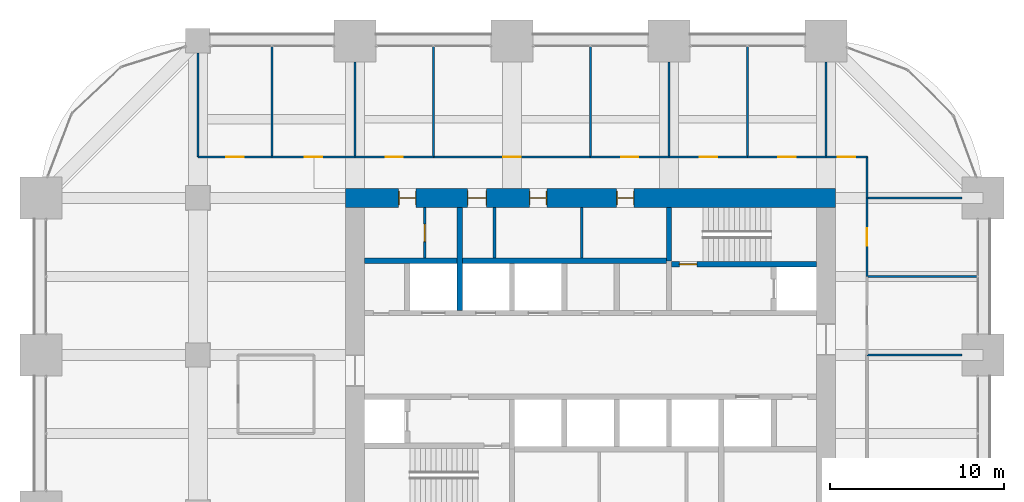
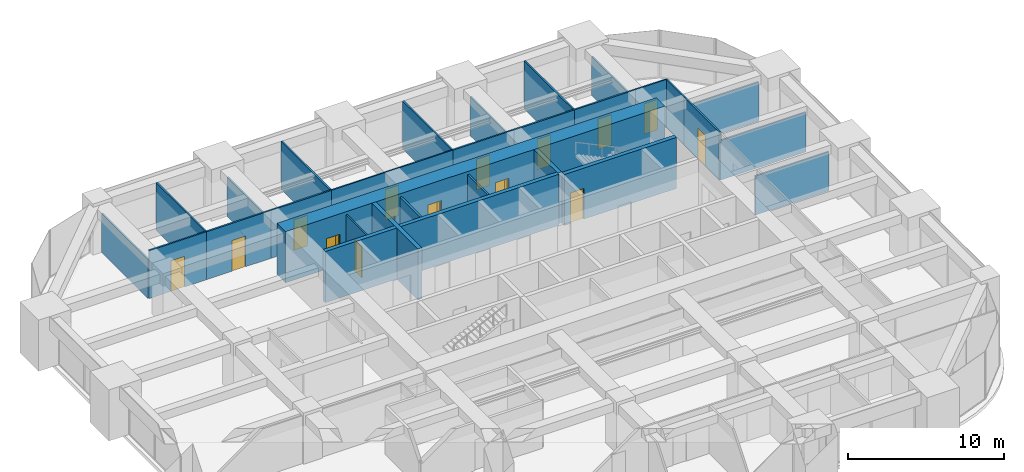
# One storey, part 31 of 33: 29 walls, 15 doors, 15 openings.
"""IFC4 building model written with IfcOpenShell, lengths in metres."""

from ifc_helpers import new_model, si_unit, direction, frame, frame_2d, origin, place, context, subcontext, project, spatial, rectangle, extrude, material, layer, layer_set, type_object, element, fill, save


model = new_model("IFC4")

# Units and contexts
model_context = context("Model", 3, precision=1e-05, world=origin(), true_north=direction((0.0, 1.0)))
body_context = subcontext(model_context, "Body", "Model", "MODEL_VIEW")
ifc_project = project(units=[si_unit("LENGTHUNIT", "METRE"), si_unit("AREAUNIT", "SQUARE_METRE"), si_unit("VOLUMEUNIT", "CUBIC_METRE"), si_unit("PLANEANGLEUNIT", "RADIAN"), si_unit("MASSUNIT", "GRAM", prefix="KILO")], contexts=[model_context])

# Site, building, storey
site_placement = place(None, origin())
site = spatial("IfcSite", under=ifc_project, at=site_placement, CompositionType="ELEMENT")
building_placement = place(site_placement, origin())
building = spatial("IfcBuilding", under=site, at=building_placement, Name="Zorevar Civic Tower", CompositionType="ELEMENT")
storey_placement = place(building_placement, frame((0.0, 0.0, 206.199951171875)))
storey = spatial("IfcBuildingStorey", under=building, at=storey_placement, Name="L50", CompositionType="ELEMENT", Elevation=206.199951171875)

# Wall, openings, doors
ifc_material_1 = material(Name="Concrete C50/60", Category="concrete")
ifc_layer_1 = layer(ifc_material_1, 1.10009765625)
ifc_layer_set_1 = layer_set([ifc_layer_1], Name="Core wall 1100")
wall_type_1 = type_object("IfcWallType", Name="Core wall 1100", PredefinedType="SHEAR", material=ifc_layer_set_1)
wall_1_placement = place(storey_placement, frame((45.550048828125, 36.0, 0.0), z_axis=(0.0, 0.0, 1.0), x_axis=(-1.0, 0.0, 0.0)))
wall_1 = element("IfcWall", 1, at=wall_1_placement, inside=storey, type_object=wall_type_1, Name="Core wall N L50", PredefinedType="SHEAR", context=body_context, shape_type="SweptSolid", body=[
    extrude(rectangle(XDim=28.10009765625, YDim=1.10009765625, at=frame_2d((14.050048828125, 0.0))), origin(), (0.0, 0.0, 1.0), 4.0),
])
opening_1_placement = place(wall_1_placement, frame((11.550048828125, 0.0, 0.0)))
opening_1 = element("IfcOpeningElement", 2, at=opening_1_placement, cuts=wall_1, Name="Opening L50.07", PredefinedType="OPENING", context=body_context, shape_type="SweptSolid", body=[
    extrude(rectangle(XDim=1.0, YDim=2.39990234375, at=frame_2d((0.5, 1.199951171875))), frame((0.0, 0.56005859375, 0.0), z_axis=(0.0, -1.0, 0.0), x_axis=(1.0, 0.0, 0.0)), (0.0, 0.0, 1.0), 1.1201171875),
])
opening_2_placement = place(wall_1_placement, frame((16.550048828125, 0.0, 0.0)))
opening_2 = element("IfcOpeningElement", 3, at=opening_2_placement, cuts=wall_1, Name="Opening L50.08", PredefinedType="OPENING", context=body_context, shape_type="SweptSolid", body=[
    extrude(rectangle(XDim=1.0, YDim=2.39990234375, at=frame_2d((0.5, 1.199951171875))), frame((0.0, 0.56005859375, 0.0), z_axis=(0.0, -1.0, 0.0), x_axis=(1.0, 0.0, 0.0)), (0.0, 0.0, 1.0), 1.1201171875),
])
opening_3_placement = place(wall_1_placement, frame((20.0, 0.0, 0.0)))
opening_3 = element("IfcOpeningElement", 4, at=opening_3_placement, cuts=wall_1, Name="Opening L50.09", PredefinedType="OPENING", context=body_context, shape_type="SweptSolid", body=[
    extrude(rectangle(XDim=1.10009765625, YDim=2.39990234375, at=frame_2d((0.550048828125, 1.199951171875))), frame((0.0, 0.56005859375, 0.0), z_axis=(0.0, -1.0, 0.0), x_axis=(1.0, 0.0, 0.0)), (0.0, 0.0, 1.0), 1.1201171875),
])
opening_4_placement = place(wall_1_placement, frame((24.050048828125, 0.0, 0.0)))
opening_4 = element("IfcOpeningElement", 5, at=opening_4_placement, cuts=wall_1, Name="Opening L50.10", PredefinedType="OPENING", context=body_context, shape_type="SweptSolid", body=[
    extrude(rectangle(XDim=1.0, YDim=2.39990234375, at=frame_2d((0.5, 1.199951171875))), frame((0.0, 0.56005859375, 0.0), z_axis=(0.0, -1.0, 0.0), x_axis=(1.0, 0.0, 0.0)), (0.0, 0.0, 1.0), 1.1201171875),
])
ifc_material_2 = material(Name="Timber door set", Category="wood")
door_type_1 = type_object("IfcDoorType", Name="Door D1 1000x2400", OperationType="SINGLE_SWING_LEFT", PredefinedType="DOOR", material=ifc_material_2)
door_1_placement = place(opening_1_placement, origin())
door_1 = element("IfcDoor", 6, at=door_1_placement, inside=storey, type_object=door_type_1, Name="Door L50 06", OperationType="SINGLE_SWING_RIGHT", OverallHeight=2.39990234375, OverallWidth=1.0, PredefinedType="DOOR", context=body_context, shape_type="SweptSolid", body=[
    extrude(rectangle(XDim=1.0, YDim=2.39990234375, at=frame_2d((0.5, 1.199951171875))), frame((0.0, 0.02490234375, 0.0), z_axis=(0.0, -1.0, 0.0), x_axis=(1.0, 0.0, 0.0)), (0.0, 0.0, 1.0), 0.050048828125),
    extrude(rectangle(XDim=0.04, YDim=2.39990234375, at=frame_2d((0.02001953125, 1.199951171875))), frame((0.0, 0.39990234375, 0.0), z_axis=(0.0, -1.0, 0.0), x_axis=(1.0, 0.0, 0.0)), (0.0, 0.0, 1.0), 0.800048828125),
    extrude(rectangle(XDim=0.04, YDim=2.39990234375, at=frame_2d((0.97998046875, 1.199951171875))), frame((0.0, 0.39990234375, 0.0), z_axis=(0.0, -1.0, 0.0), x_axis=(1.0, 0.0, 0.0)), (0.0, 0.0, 1.0), 0.800048828125),
    extrude(rectangle(XDim=1.0, YDim=0.04, at=frame_2d((0.5, 2.3798828125))), frame((0.0, 0.39990234375, 0.0), z_axis=(0.0, -1.0, 0.0), x_axis=(1.0, 0.0, 0.0)), (0.0, 0.0, 1.0), 0.800048828125),
])
fill(opening_1, door_1)
door_2_placement = place(opening_2_placement, origin())
door_2 = element("IfcDoor", 7, at=door_2_placement, inside=storey, type_object=door_type_1, Name="Door L50 07", OperationType="SINGLE_SWING_LEFT", OverallHeight=2.39990234375, OverallWidth=1.0, PredefinedType="DOOR", context=body_context, shape_type="SweptSolid", body=[
    extrude(rectangle(XDim=1.0, YDim=2.39990234375, at=frame_2d((0.5, 1.199951171875))), frame((0.0, 0.02490234375, 0.0), z_axis=(0.0, -1.0, 0.0), x_axis=(1.0, 0.0, 0.0)), (0.0, 0.0, 1.0), 0.050048828125),
    extrude(rectangle(XDim=0.04, YDim=2.39990234375, at=frame_2d((0.02001953125, 1.199951171875))), frame((0.0, 0.39990234375, 0.0), z_axis=(0.0, -1.0, 0.0), x_axis=(1.0, 0.0, 0.0)), (0.0, 0.0, 1.0), 0.800048828125),
    extrude(rectangle(XDim=0.04, YDim=2.39990234375, at=frame_2d((0.97998046875, 1.199951171875))), frame((0.0, 0.39990234375, 0.0), z_axis=(0.0, -1.0, 0.0), x_axis=(1.0, 0.0, 0.0)), (0.0, 0.0, 1.0), 0.800048828125),
    extrude(rectangle(XDim=1.0, YDim=0.04, at=frame_2d((0.5, 2.3798828125))), frame((0.0, 0.39990234375, 0.0), z_axis=(0.0, -1.0, 0.0), x_axis=(1.0, 0.0, 0.0)), (0.0, 0.0, 1.0), 0.800048828125),
])
fill(opening_2, door_2)
door_3_placement = place(opening_4_placement, origin())
door_3 = element("IfcDoor", 8, at=door_3_placement, inside=storey, type_object=door_type_1, Name="Door L50 09", OperationType="SINGLE_SWING_LEFT", OverallHeight=2.39990234375, OverallWidth=1.0, PredefinedType="DOOR", context=body_context, shape_type="SweptSolid", body=[
    extrude(rectangle(XDim=1.0, YDim=2.39990234375, at=frame_2d((0.5, 1.199951171875))), frame((0.0, 0.02490234375, 0.0), z_axis=(0.0, -1.0, 0.0), x_axis=(1.0, 0.0, 0.0)), (0.0, 0.0, 1.0), 0.050048828125),
    extrude(rectangle(XDim=0.04, YDim=2.39990234375, at=frame_2d((0.02001953125, 1.199951171875))), frame((0.0, 0.39990234375, 0.0), z_axis=(0.0, -1.0, 0.0), x_axis=(1.0, 0.0, 0.0)), (0.0, 0.0, 1.0), 0.800048828125),
    extrude(rectangle(XDim=0.04, YDim=2.39990234375, at=frame_2d((0.97998046875, 1.199951171875))), frame((0.0, 0.39990234375, 0.0), z_axis=(0.0, -1.0, 0.0), x_axis=(1.0, 0.0, 0.0)), (0.0, 0.0, 1.0), 0.800048828125),
    extrude(rectangle(XDim=1.0, YDim=0.04, at=frame_2d((0.5, 2.3798828125))), frame((0.0, 0.39990234375, 0.0), z_axis=(0.0, -1.0, 0.0), x_axis=(1.0, 0.0, 0.0)), (0.0, 0.0, 1.0), 0.800048828125),
])
fill(opening_4, door_3)
ifc_material_3 = material(Name="Timber door set", Category="wood")
door_type_2 = type_object("IfcDoorType", Name="Door D5 1100x2400", OperationType="SINGLE_SWING_LEFT", PredefinedType="DOOR", material=ifc_material_3)
door_4_placement = place(opening_3_placement, origin())
door_4 = element("IfcDoor", 9, at=door_4_placement, inside=storey, type_object=door_type_2, Name="Door L50 08", OperationType="SINGLE_SWING_LEFT", OverallHeight=2.39990234375, OverallWidth=1.10009765625, PredefinedType="DOOR", context=body_context, shape_type="SweptSolid", body=[
    extrude(rectangle(XDim=1.10009765625, YDim=2.39990234375, at=frame_2d((0.550048828125, 1.199951171875))), frame((0.0, 0.02490234375, 0.0), z_axis=(0.0, -1.0, 0.0), x_axis=(1.0, 0.0, 0.0)), (0.0, 0.0, 1.0), 0.050048828125),
    extrude(rectangle(XDim=0.04, YDim=2.39990234375, at=frame_2d((0.02001953125, 1.199951171875))), frame((0.0, 0.43994140625, 0.0), z_axis=(0.0, -1.0, 0.0), x_axis=(1.0, 0.0, 0.0)), (0.0, 0.0, 1.0), 0.880126953125),
    extrude(rectangle(XDim=0.04, YDim=2.39990234375, at=frame_2d((1.080078125, 1.199951171875))), frame((0.0, 0.43994140625, 0.0), z_axis=(0.0, -1.0, 0.0), x_axis=(1.0, 0.0, 0.0)), (0.0, 0.0, 1.0), 0.880126953125),
    extrude(rectangle(XDim=1.10009765625, YDim=0.04, at=frame_2d((0.550048828125, 2.3798828125))), frame((0.0, 0.43994140625, 0.0), z_axis=(0.0, -1.0, 0.0), x_axis=(1.0, 0.0, 0.0)), (0.0, 0.0, 1.0), 0.880126953125),
])
fill(opening_3, door_4)

# Wall, opening, door
ifc_material_4 = material(Name="Laminated glass in black aluminium frame", Category="aluminium")
ifc_layer_2 = layer(ifc_material_4, 0.10009765625)
ifc_layer_set_2 = layer_set([ifc_layer_2], Name="Glazed partition 100")
wall_type_2 = type_object("IfcWallType", Name="Glazed partition 100", PredefinedType="PARTITIONING", material=ifc_layer_set_2)
wall_2_placement = place(storey_placement, frame((22.5, 38.35009765625, 0.0), z_axis=(0.0, 0.0, 1.0), x_axis=(1.0, 0.0, 0.0)))
wall_2 = element("IfcWall", 10, at=wall_2_placement, inside=storey, type_object=wall_type_2, Name="Glazed partition 100 L50", PredefinedType="PARTITIONING", context=body_context, shape_type="SweptSolid", body=[
    extrude(rectangle(XDim=9.0, YDim=0.10009765625, at=frame_2d((4.5, 0.0))), origin(), (0.0, 0.0, 1.0), 3.75),
])
opening_5_placement = place(wall_2_placement, frame((4.0, 0.0, 0.0)))
opening_5 = element("IfcOpeningElement", 11, at=opening_5_placement, cuts=wall_2, Name="Opening L50.34", PredefinedType="OPENING", context=body_context, shape_type="SweptSolid", body=[
    extrude(rectangle(XDim=1.0, YDim=2.39990234375, at=frame_2d((0.5, 1.199951171875))), frame((0.0, 0.06005859375, 0.0), z_axis=(0.0, -1.0, 0.0), x_axis=(1.0, 0.0, 0.0)), (0.0, 0.0, 1.0), 0.1201171875),
])
ifc_material_5 = material(Name="Timber door set", Category="wood")
door_type_3 = type_object("IfcDoorType", Name="Glazed door GD1 1000x2400", OperationType="SINGLE_SWING_LEFT", PredefinedType="DOOR", material=ifc_material_5)
door_5_placement = place(opening_5_placement, origin())
door_5 = element("IfcDoor", 12, at=door_5_placement, inside=storey, type_object=door_type_3, Name="Door L50 D1", OperationType="SINGLE_SWING_LEFT", OverallHeight=2.39990234375, OverallWidth=1.0, PredefinedType="DOOR", context=body_context, shape_type="SweptSolid", body=[
    extrude(rectangle(XDim=1.0, YDim=2.39990234375, at=frame_2d((0.5, 1.199951171875))), frame((0.0, 0.02001953125, 0.0), z_axis=(0.0, -1.0, 0.0), x_axis=(1.0, 0.0, 0.0)), (0.0, 0.0, 1.0), 0.0400390625),
])
fill(opening_5, door_5)

wall_3_placement = place(storey_placement, frame((45.0, 38.35009765625, 0.0), z_axis=(0.0, 0.0, 1.0), x_axis=(1.0, 0.0, 0.0)))
wall_3 = element("IfcWall", 13, at=wall_3_placement, inside=storey, type_object=wall_type_2, Name="Glazed partition 100 L50", PredefinedType="PARTITIONING", context=body_context, shape_type="SweptSolid", body=[
    extrude(rectangle(XDim=2.35009765625, YDim=0.10009765625, at=frame_2d((1.175048828125, 0.0))), origin(), (0.0, 0.0, 1.0), 3.75),
])
opening_6_placement = place(wall_3_placement, frame((0.675048828125, 0.0, 0.0)))
opening_6 = element("IfcOpeningElement", 14, at=opening_6_placement, cuts=wall_3, Name="Opening L50.35", PredefinedType="OPENING", context=body_context, shape_type="SweptSolid", body=[
    extrude(rectangle(XDim=1.0, YDim=2.39990234375, at=frame_2d((0.5, 1.199951171875))), frame((0.0, 0.06005859375, 0.0), z_axis=(0.0, -1.0, 0.0), x_axis=(1.0, 0.0, 0.0)), (0.0, 0.0, 1.0), 0.1201171875),
])
door_6_placement = place(opening_6_placement, origin())
door_6 = element("IfcDoor", 15, at=door_6_placement, inside=storey, type_object=door_type_3, Name="Door L50 D1", OperationType="SINGLE_SWING_RIGHT", OverallHeight=2.39990234375, OverallWidth=1.0, PredefinedType="DOOR", context=body_context, shape_type="SweptSolid", body=[
    extrude(rectangle(XDim=1.0, YDim=2.39990234375, at=frame_2d((0.5, 1.199951171875))), frame((0.0, 0.02001953125, 0.0), z_axis=(0.0, -1.0, 0.0), x_axis=(1.0, 0.0, 0.0)), (0.0, 0.0, 1.0), 0.0400390625),
])
fill(opening_6, door_6)

# Wall
wall_4_placement = place(storey_placement, frame((47.35009765625, 36.0, 0.0), z_axis=(0.0, 0.0, 1.0), x_axis=(0.0, 1.0, 0.0)))
element("IfcWall", 16, at=wall_4_placement, inside=storey, type_object=wall_type_2, Name="Glazed partition 100 L50", PredefinedType="PARTITIONING", context=body_context, shape_type="SweptSolid", body=[
    extrude(rectangle(XDim=2.35009765625, YDim=0.10009765625, at=frame_2d((1.175048828125, 0.0))), origin(), (0.0, 0.0, 1.0), 3.75),
])

# Wall, opening, door
ifc_material_6 = material(Name="Concrete C40/50", Category="concrete")
ifc_layer_3 = layer(ifc_material_6, 0.300048828125)
ifc_layer_set_3 = layer_set([ifc_layer_3], Name="Inner core wall 300")
wall_type_3 = type_object("IfcWallType", Name="Inner core wall 300", PredefinedType="SHEAR", material=ifc_layer_set_3)
wall_5_placement = place(storey_placement, frame((36.14990234375, 32.199951171875, 0.0), z_axis=(0.0, 0.0, 1.0), x_axis=(1.0, 0.0, 0.0)))
wall_5 = element("IfcWall", 17, at=wall_5_placement, inside=storey, type_object=wall_type_3, Name="Inner core wall N00 L50", PredefinedType="SHEAR", context=body_context, shape_type="SweptSolid", body=[
    extrude(rectangle(XDim=8.300048828125, YDim=0.300048828125, at=frame_2d((4.14990234375, 0.0))), origin(), (0.0, 0.0, 1.0), 4.0),
])
opening_7_placement = place(wall_5_placement, frame((0.449951171875, 0.0, 0.0)))
opening_7 = element("IfcOpeningElement", 18, at=opening_7_placement, cuts=wall_5, Name="Opening L50.12", PredefinedType="OPENING", context=body_context, shape_type="SweptSolid", body=[
    extrude(rectangle(XDim=1.0, YDim=2.39990234375, at=frame_2d((0.5, 1.199951171875))), frame((0.0, 0.159912109375, 0.0), z_axis=(0.0, -1.0, 0.0), x_axis=(1.0, 0.0, 0.0)), (0.0, 0.0, 1.0), 0.320068359375),
])
ifc_material_7 = material(Name="Steel door set", Category="steel")
door_type_4 = type_object("IfcDoorType", Name="Fire door FD1 1000x2400", OperationType="SINGLE_SWING_LEFT", PredefinedType="DOOR", material=ifc_material_7)
door_7_placement = place(opening_7_placement, origin())
door_7 = element("IfcDoor", 19, at=door_7_placement, inside=storey, type_object=door_type_4, Name="Door L50 11", OperationType="SINGLE_SWING_RIGHT", OverallHeight=2.39990234375, OverallWidth=1.0, PredefinedType="DOOR", context=body_context, shape_type="SweptSolid", body=[
    extrude(rectangle(XDim=1.0, YDim=2.39990234375, at=frame_2d((0.5, 1.199951171875))), frame((0.0, 0.030029296875, 0.0), z_axis=(0.0, -1.0, 0.0), x_axis=(1.0, 0.0, 0.0)), (0.0, 0.0, 1.0), 0.06005859375),
])
fill(opening_7, door_7)

# Walls
wall_6_placement = place(storey_placement, frame((36.0, 32.39990234375, 0.0), z_axis=(0.0, 0.0, 1.0), x_axis=(0.0, 1.0, 0.0)))
element("IfcWall", 20, at=wall_6_placement, inside=storey, type_object=wall_type_3, Name="Inner core wall N01 L50", PredefinedType="SHEAR", context=body_context, shape_type="SweptSolid", body=[
    extrude(rectangle(XDim=3.050048828125, YDim=0.300048828125, at=frame_2d((1.52490234375, 0.0))), origin(), (0.0, 0.0, 1.0), 4.0),
])
wall_7_placement = place(storey_placement, frame((18.550048828125, 32.39990234375, 0.0), z_axis=(0.0, 0.0, 1.0), x_axis=(1.0, 0.0, 0.0)))
element("IfcWall", 21, at=wall_7_placement, inside=storey, type_object=wall_type_3, Name="Inner core wall N04 L50", PredefinedType="SHEAR", context=body_context, shape_type="SweptSolid", body=[
    extrude(rectangle(XDim=17.300048828125, YDim=0.300048828125, at=frame_2d((8.64990234375, 0.0))), origin(), (0.0, 0.0, 1.0), 4.0),
])
wall_8_placement = place(storey_placement, frame((24.0, 29.550048828125, 0.0), z_axis=(0.0, 0.0, 1.0), x_axis=(0.0, 1.0, 0.0)))
element("IfcWall", 22, at=wall_8_placement, inside=storey, type_object=wall_type_3, Name="Inner core wall N08 L50", PredefinedType="SHEAR", context=body_context, shape_type="SweptSolid", body=[
    extrude(rectangle(XDim=5.89990234375, YDim=0.300048828125, at=frame_2d((2.949951171875, 0.0))), origin(), (0.0, 0.0, 1.0), 4.0),
])
ifc_material_8 = material(Name="Gypsum board on steel studs", Category="steel")
ifc_layer_4 = layer(ifc_material_8, 0.1201171875)
ifc_layer_set_4 = layer_set([ifc_layer_4], Name="Partition 120")
wall_type_4 = type_object("IfcWallType", Name="Partition 120", PredefinedType="PARTITIONING", material=ifc_layer_set_4)
wall_9_placement = place(storey_placement, frame((47.35009765625, 27.0, 0.0), z_axis=(0.0, 0.0, 1.0), x_axis=(1.0, 0.0, 0.0)))
element("IfcWall", 23, at=wall_9_placement, inside=storey, type_object=wall_type_4, Name="Partition 120 L50", PredefinedType="PARTITIONING", context=body_context, shape_type="SweptSolid", body=[
    extrude(rectangle(XDim=5.449951171875, YDim=0.1201171875, at=frame_2d((2.72509765625, 0.0))), origin(), (0.0, 0.0, 1.0), 3.050048828125),
])
wall_10_placement = place(storey_placement, frame((47.35009765625, 31.5, 0.0), z_axis=(0.0, 0.0, 1.0), x_axis=(1.0, 0.0, 0.0)))
element("IfcWall", 24, at=wall_10_placement, inside=storey, type_object=wall_type_4, Name="Partition 120 L50", PredefinedType="PARTITIONING", context=body_context, shape_type="SweptSolid", body=[
    extrude(rectangle(XDim=6.33984375, YDim=0.1201171875, at=frame_2d((3.169921875, 0.0))), origin(), (0.0, 0.0, 1.0), 3.10009765625),
])
wall_11_placement = place(storey_placement, frame((47.35009765625, 36.0, 0.0), z_axis=(0.0, 0.0, 1.0), x_axis=(1.0, 0.0, 0.0)))
element("IfcWall", 25, at=wall_11_placement, inside=storey, type_object=wall_type_4, Name="Partition 120 L50", PredefinedType="PARTITIONING", context=body_context, shape_type="SweptSolid", body=[
    extrude(rectangle(XDim=5.449951171875, YDim=0.1201171875, at=frame_2d((2.72509765625, 0.0))), origin(), (0.0, 0.0, 1.0), 3.050048828125),
])

# Wall, opening, door
wall_12_placement = place(storey_placement, frame((9.0, 38.35009765625, 0.0), z_axis=(0.0, 0.0, 1.0), x_axis=(1.0, 0.0, 0.0)))
wall_12 = element("IfcWall", 26, at=wall_12_placement, inside=storey, type_object=wall_type_4, Name="Partition 120 L50", PredefinedType="PARTITIONING", context=body_context, shape_type="SweptSolid", body=[
    extrude(rectangle(XDim=4.25, YDim=0.1201171875, at=frame_2d((2.125, 0.0))), origin(), (0.0, 0.0, 1.0), 3.75),
])
opening_8_placement = place(wall_12_placement, frame((1.625, 0.0, 0.0)))
opening_8 = element("IfcOpeningElement", 27, at=opening_8_placement, cuts=wall_12, Name="Opening L50.28", PredefinedType="OPENING", context=body_context, shape_type="SweptSolid", body=[
    extrude(rectangle(XDim=1.0, YDim=2.39990234375, at=frame_2d((0.5, 1.199951171875))), frame((0.0, 0.070068359375, 0.0), z_axis=(0.0, -1.0, 0.0), x_axis=(1.0, 0.0, 0.0)), (0.0, 0.0, 1.0), 0.14013671875),
])
door_8_placement = place(opening_8_placement, origin())
door_8 = element("IfcDoor", 28, at=door_8_placement, inside=storey, type_object=door_type_1, Name="Door L50 D1", OperationType="SINGLE_SWING_RIGHT", OverallHeight=2.39990234375, OverallWidth=1.0, PredefinedType="DOOR", context=body_context, shape_type="SweptSolid", body=[
    extrude(rectangle(XDim=1.0, YDim=2.39990234375, at=frame_2d((0.5, 1.199951171875))), frame((0.0, 0.02490234375, 0.0), z_axis=(0.0, -1.0, 0.0), x_axis=(1.0, 0.0, 0.0)), (0.0, 0.0, 1.0), 0.050048828125),
])
fill(opening_8, door_8)

wall_13_placement = place(storey_placement, frame((13.25, 38.35009765625, 0.0), z_axis=(0.0, 0.0, 1.0), x_axis=(1.0, 0.0, 0.0)))
wall_13 = element("IfcWall", 29, at=wall_13_placement, inside=storey, type_object=wall_type_4, Name="Partition 120 L50", PredefinedType="PARTITIONING", context=body_context, shape_type="SweptSolid", body=[
    extrude(rectangle(XDim=4.75, YDim=0.1201171875, at=frame_2d((2.375, 0.0))), origin(), (0.0, 0.0, 1.0), 3.75),
])
opening_9_placement = place(wall_13_placement, frame((1.875, 0.0, 0.0)))
opening_9 = element("IfcOpeningElement", 30, at=opening_9_placement, cuts=wall_13, Name="Opening L50.29", PredefinedType="OPENING", context=body_context, shape_type="SweptSolid", body=[
    extrude(rectangle(XDim=1.0, YDim=2.39990234375, at=frame_2d((0.5, 1.199951171875))), frame((0.0, 0.070068359375, 0.0), z_axis=(0.0, -1.0, 0.0), x_axis=(1.0, 0.0, 0.0)), (0.0, 0.0, 1.0), 0.14013671875),
])
door_9_placement = place(opening_9_placement, origin())
door_9 = element("IfcDoor", 31, at=door_9_placement, inside=storey, type_object=door_type_1, Name="Door L50 D1", OperationType="SINGLE_SWING_RIGHT", OverallHeight=2.39990234375, OverallWidth=1.0, PredefinedType="DOOR", context=body_context, shape_type="SweptSolid", body=[
    extrude(rectangle(XDim=1.0, YDim=2.39990234375, at=frame_2d((0.5, 1.199951171875))), frame((0.0, 0.02490234375, 0.0), z_axis=(0.0, -1.0, 0.0), x_axis=(1.0, 0.0, 0.0)), (0.0, 0.0, 1.0), 0.050048828125),
])
fill(opening_9, door_9)

wall_14_placement = place(storey_placement, frame((18.0, 38.35009765625, 0.0), z_axis=(0.0, 0.0, 1.0), x_axis=(1.0, 0.0, 0.0)))
wall_14 = element("IfcWall", 32, at=wall_14_placement, inside=storey, type_object=wall_type_4, Name="Partition 120 L50", PredefinedType="PARTITIONING", context=body_context, shape_type="SweptSolid", body=[
    extrude(rectangle(XDim=4.5, YDim=0.1201171875, at=frame_2d((2.25, 0.0))), origin(), (0.0, 0.0, 1.0), 3.75),
])
opening_10_placement = place(wall_14_placement, frame((1.75, 0.0, 0.0)))
opening_10 = element("IfcOpeningElement", 33, at=opening_10_placement, cuts=wall_14, Name="Opening L50.30", PredefinedType="OPENING", context=body_context, shape_type="SweptSolid", body=[
    extrude(rectangle(XDim=1.0, YDim=2.39990234375, at=frame_2d((0.5, 1.199951171875))), frame((0.0, 0.070068359375, 0.0), z_axis=(0.0, -1.0, 0.0), x_axis=(1.0, 0.0, 0.0)), (0.0, 0.0, 1.0), 0.14013671875),
])
door_10_placement = place(opening_10_placement, origin())
door_10 = element("IfcDoor", 34, at=door_10_placement, inside=storey, type_object=door_type_1, Name="Door L50 D1", OperationType="SINGLE_SWING_LEFT", OverallHeight=2.39990234375, OverallWidth=1.0, PredefinedType="DOOR", context=body_context, shape_type="SweptSolid", body=[
    extrude(rectangle(XDim=1.0, YDim=2.39990234375, at=frame_2d((0.5, 1.199951171875))), frame((0.0, 0.02490234375, 0.0), z_axis=(0.0, -1.0, 0.0), x_axis=(1.0, 0.0, 0.0)), (0.0, 0.0, 1.0), 0.050048828125),
])
fill(opening_10, door_10)

wall_15_placement = place(storey_placement, frame((31.5, 38.35009765625, 0.0), z_axis=(0.0, 0.0, 1.0), x_axis=(1.0, 0.0, 0.0)))
wall_15 = element("IfcWall", 35, at=wall_15_placement, inside=storey, type_object=wall_type_4, Name="Partition 120 L50", PredefinedType="PARTITIONING", context=body_context, shape_type="SweptSolid", body=[
    extrude(rectangle(XDim=4.5, YDim=0.1201171875, at=frame_2d((2.25, 0.0))), origin(), (0.0, 0.0, 1.0), 3.75),
])
opening_11_placement = place(wall_15_placement, frame((1.75, 0.0, 0.0)))
opening_11 = element("IfcOpeningElement", 36, at=opening_11_placement, cuts=wall_15, Name="Opening L50.31", PredefinedType="OPENING", context=body_context, shape_type="SweptSolid", body=[
    extrude(rectangle(XDim=1.0, YDim=2.39990234375, at=frame_2d((0.5, 1.199951171875))), frame((0.0, 0.070068359375, 0.0), z_axis=(0.0, -1.0, 0.0), x_axis=(1.0, 0.0, 0.0)), (0.0, 0.0, 1.0), 0.14013671875),
])
door_11_placement = place(opening_11_placement, origin())
door_11 = element("IfcDoor", 37, at=door_11_placement, inside=storey, type_object=door_type_1, Name="Door L50 D1", OperationType="SINGLE_SWING_RIGHT", OverallHeight=2.39990234375, OverallWidth=1.0, PredefinedType="DOOR", context=body_context, shape_type="SweptSolid", body=[
    extrude(rectangle(XDim=1.0, YDim=2.39990234375, at=frame_2d((0.5, 1.199951171875))), frame((0.0, 0.02490234375, 0.0), z_axis=(0.0, -1.0, 0.0), x_axis=(1.0, 0.0, 0.0)), (0.0, 0.0, 1.0), 0.050048828125),
])
fill(opening_11, door_11)

wall_16_placement = place(storey_placement, frame((36.0, 38.35009765625, 0.0), z_axis=(0.0, 0.0, 1.0), x_axis=(1.0, 0.0, 0.0)))
wall_16 = element("IfcWall", 38, at=wall_16_placement, inside=storey, type_object=wall_type_4, Name="Partition 120 L50", PredefinedType="PARTITIONING", context=body_context, shape_type="SweptSolid", body=[
    extrude(rectangle(XDim=4.5, YDim=0.1201171875, at=frame_2d((2.25, 0.0))), origin(), (0.0, 0.0, 1.0), 3.75),
])
opening_12_placement = place(wall_16_placement, frame((1.75, 0.0, 0.0)))
opening_12 = element("IfcOpeningElement", 39, at=opening_12_placement, cuts=wall_16, Name="Opening L50.32", PredefinedType="OPENING", context=body_context, shape_type="SweptSolid", body=[
    extrude(rectangle(XDim=1.0, YDim=2.39990234375, at=frame_2d((0.5, 1.199951171875))), frame((0.0, 0.070068359375, 0.0), z_axis=(0.0, -1.0, 0.0), x_axis=(1.0, 0.0, 0.0)), (0.0, 0.0, 1.0), 0.14013671875),
])
door_12_placement = place(opening_12_placement, origin())
door_12 = element("IfcDoor", 40, at=door_12_placement, inside=storey, type_object=door_type_1, Name="Door L50 D1", OperationType="SINGLE_SWING_LEFT", OverallHeight=2.39990234375, OverallWidth=1.0, PredefinedType="DOOR", context=body_context, shape_type="SweptSolid", body=[
    extrude(rectangle(XDim=1.0, YDim=2.39990234375, at=frame_2d((0.5, 1.199951171875))), frame((0.0, 0.02490234375, 0.0), z_axis=(0.0, -1.0, 0.0), x_axis=(1.0, 0.0, 0.0)), (0.0, 0.0, 1.0), 0.050048828125),
])
fill(opening_12, door_12)

wall_17_placement = place(storey_placement, frame((40.5, 38.35009765625, 0.0), z_axis=(0.0, 0.0, 1.0), x_axis=(1.0, 0.0, 0.0)))
wall_17 = element("IfcWall", 41, at=wall_17_placement, inside=storey, type_object=wall_type_4, Name="Partition 120 L50", PredefinedType="PARTITIONING", context=body_context, shape_type="SweptSolid", body=[
    extrude(rectangle(XDim=4.5, YDim=0.1201171875, at=frame_2d((2.25, 0.0))), origin(), (0.0, 0.0, 1.0), 3.75),
])
opening_13_placement = place(wall_17_placement, frame((1.75, 0.0, 0.0)))
opening_13 = element("IfcOpeningElement", 42, at=opening_13_placement, cuts=wall_17, Name="Opening L50.33", PredefinedType="OPENING", context=body_context, shape_type="SweptSolid", body=[
    extrude(rectangle(XDim=1.0, YDim=2.39990234375, at=frame_2d((0.5, 1.199951171875))), frame((0.0, 0.070068359375, 0.0), z_axis=(0.0, -1.0, 0.0), x_axis=(1.0, 0.0, 0.0)), (0.0, 0.0, 1.0), 0.14013671875),
])
door_13_placement = place(opening_13_placement, origin())
door_13 = element("IfcDoor", 43, at=door_13_placement, inside=storey, type_object=door_type_1, Name="Door L50 D1", OperationType="SINGLE_SWING_RIGHT", OverallHeight=2.39990234375, OverallWidth=1.0, PredefinedType="DOOR", context=body_context, shape_type="SweptSolid", body=[
    extrude(rectangle(XDim=1.0, YDim=2.39990234375, at=frame_2d((0.5, 1.199951171875))), frame((0.0, 0.02490234375, 0.0), z_axis=(0.0, -1.0, 0.0), x_axis=(1.0, 0.0, 0.0)), (0.0, 0.0, 1.0), 0.050048828125),
])
fill(opening_13, door_13)

# Walls
wall_18_placement = place(storey_placement, frame((9.0, 38.35009765625, 0.0), z_axis=(0.0, 0.0, 1.0), x_axis=(0.0, 1.0, 0.0)))
element("IfcWall", 44, at=wall_18_placement, inside=storey, type_object=wall_type_4, Name="Partition 120 L50", PredefinedType="PARTITIONING", context=body_context, shape_type="SweptSolid", body=[
    extrude(rectangle(XDim=5.949951171875, YDim=0.1201171875, at=frame_2d((2.97509765625, 0.0))), origin(), (0.0, 0.0, 1.0), 3.050048828125),
])
wall_19_placement = place(storey_placement, frame((13.25, 38.35009765625, 0.0), z_axis=(0.0, 0.0, 1.0), x_axis=(0.0, 1.0, 0.0)))
element("IfcWall", 45, at=wall_19_placement, inside=storey, type_object=wall_type_4, Name="Partition 120 L50", PredefinedType="PARTITIONING", context=body_context, shape_type="SweptSolid", body=[
    extrude(rectangle(XDim=6.33984375, YDim=0.1201171875, at=frame_2d((3.169921875, 0.0))), origin(), (0.0, 0.0, 1.0), 3.75),
])
wall_20_placement = place(storey_placement, frame((18.0, 38.35009765625, 0.0), z_axis=(0.0, 0.0, 1.0), x_axis=(0.0, 1.0, 0.0)))
element("IfcWall", 46, at=wall_20_placement, inside=storey, type_object=wall_type_4, Name="Partition 120 L50", PredefinedType="PARTITIONING", context=body_context, shape_type="SweptSolid", body=[
    extrude(rectangle(XDim=5.449951171875, YDim=0.1201171875, at=frame_2d((2.72509765625, 0.0))), origin(), (0.0, 0.0, 1.0), 3.050048828125),
])
for number, where, z_axis, x_axis, name in (
    (47, (22.5, 38.35009765625, 0.0), (0.0, 0.0, 1.0), (0.0, 1.0, 0.0), "Partition 120 L50"),
    (48, (31.5, 38.35009765625, 0.0), (0.0, 0.0, 1.0), (0.0, 1.0, 0.0), "Partition 120 L50"),
):
    element("IfcWall", number, at=place(storey_placement, frame(where, z_axis=z_axis, x_axis=x_axis)), inside=storey, type_object=wall_type_4, Name=name, PredefinedType="PARTITIONING", context=body_context, shape_type="SweptSolid", body=[
        extrude(rectangle(XDim=6.33984375, YDim=0.1201171875, at=frame_2d((3.169921875, 0.0))), origin(), (0.0, 0.0, 1.0), 3.75),
    ])
wall_21_placement = place(storey_placement, frame((36.0, 38.35009765625, 0.0), z_axis=(0.0, 0.0, 1.0), x_axis=(0.0, 1.0, 0.0)))
element("IfcWall", 49, at=wall_21_placement, inside=storey, type_object=wall_type_4, Name="Partition 120 L50", PredefinedType="PARTITIONING", context=body_context, shape_type="SweptSolid", body=[
    extrude(rectangle(XDim=5.449951171875, YDim=0.1201171875, at=frame_2d((2.72509765625, 0.0))), origin(), (0.0, 0.0, 1.0), 3.050048828125),
])
wall_22_placement = place(storey_placement, frame((40.5, 38.35009765625, 0.0), z_axis=(0.0, 0.0, 1.0), x_axis=(0.0, 1.0, 0.0)))
element("IfcWall", 50, at=wall_22_placement, inside=storey, type_object=wall_type_4, Name="Partition 120 L50", PredefinedType="PARTITIONING", context=body_context, shape_type="SweptSolid", body=[
    extrude(rectangle(XDim=6.33984375, YDim=0.1201171875, at=frame_2d((3.169921875, 0.0))), origin(), (0.0, 0.0, 1.0), 3.75),
])
wall_23_placement = place(storey_placement, frame((45.0, 38.35009765625, 0.0), z_axis=(0.0, 0.0, 1.0), x_axis=(0.0, 1.0, 0.0)))
element("IfcWall", 51, at=wall_23_placement, inside=storey, type_object=wall_type_4, Name="Partition 120 L50", PredefinedType="PARTITIONING", context=body_context, shape_type="SweptSolid", body=[
    extrude(rectangle(XDim=5.449951171875, YDim=0.1201171875, at=frame_2d((2.72509765625, 0.0))), origin(), (0.0, 0.0, 1.0), 3.050048828125),
])

# Wall, opening, door
wall_24_placement = place(storey_placement, frame((47.35009765625, 31.5, 0.0), z_axis=(0.0, 0.0, 1.0), x_axis=(0.0, 1.0, 0.0)))
wall_24 = element("IfcWall", 52, at=wall_24_placement, inside=storey, type_object=wall_type_4, Name="Partition 120 L50", PredefinedType="PARTITIONING", context=body_context, shape_type="SweptSolid", body=[
    extrude(rectangle(XDim=4.5, YDim=0.1201171875, at=frame_2d((2.25, 0.0))), origin(), (0.0, 0.0, 1.0), 3.75),
])
opening_14_placement = place(wall_24_placement, frame((1.75, 0.0, 0.0)))
opening_14 = element("IfcOpeningElement", 53, at=opening_14_placement, cuts=wall_24, Name="Opening L50.39", PredefinedType="OPENING", context=body_context, shape_type="SweptSolid", body=[
    extrude(rectangle(XDim=1.0, YDim=2.39990234375, at=frame_2d((0.5, 1.199951171875))), frame((0.0, 0.070068359375, 0.0), z_axis=(0.0, -1.0, 0.0), x_axis=(1.0, 0.0, 0.0)), (0.0, 0.0, 1.0), 0.14013671875),
])
door_14_placement = place(opening_14_placement, origin())
door_14 = element("IfcDoor", 54, at=door_14_placement, inside=storey, type_object=door_type_1, Name="Door L50 D1", OperationType="SINGLE_SWING_RIGHT", OverallHeight=2.39990234375, OverallWidth=1.0, PredefinedType="DOOR", context=body_context, shape_type="SweptSolid", body=[
    extrude(rectangle(XDim=1.0, YDim=2.39990234375, at=frame_2d((0.5, 1.199951171875))), frame((0.0, 0.02490234375, 0.0), z_axis=(0.0, -1.0, 0.0), x_axis=(1.0, 0.0, 0.0)), (0.0, 0.0, 1.0), 0.050048828125),
])
fill(opening_14, door_14)

wall_25_placement = place(storey_placement, frame((22.0, 32.550048828125, 0.0), z_axis=(0.0, 0.0, 1.0), x_axis=(0.0, 1.0, 0.0)))
wall_25 = element("IfcWall", 55, at=wall_25_placement, inside=storey, type_object=wall_type_4, Name="Partition L50", PredefinedType="PARTITIONING", context=body_context, shape_type="SweptSolid", body=[
    extrude(rectangle(XDim=2.89990234375, YDim=0.1201171875, at=frame_2d((1.449951171875, 0.0))), origin(), (0.0, 0.0, 1.0), 3.75),
])
opening_15_placement = place(wall_25_placement, frame((0.949951171875, 0.0, 0.0)))
opening_15 = element("IfcOpeningElement", 56, at=opening_15_placement, cuts=wall_25, Name="Opening L50.40", PredefinedType="OPENING", context=body_context, shape_type="SweptSolid", body=[
    extrude(rectangle(XDim=1.0, YDim=2.39990234375, at=frame_2d((0.5, 1.199951171875))), frame((0.0, 0.070068359375, 0.0), z_axis=(0.0, -1.0, 0.0), x_axis=(1.0, 0.0, 0.0)), (0.0, 0.0, 1.0), 0.14013671875),
])
door_15_placement = place(opening_15_placement, origin())
door_15 = element("IfcDoor", 57, at=door_15_placement, inside=storey, type_object=door_type_4, Name="Door L50 EN", OperationType="SINGLE_SWING_RIGHT", OverallHeight=2.39990234375, OverallWidth=1.0, PredefinedType="DOOR", context=body_context, shape_type="SweptSolid", body=[
    extrude(rectangle(XDim=1.0, YDim=2.39990234375, at=frame_2d((0.5, 1.199951171875))), frame((0.0, 0.030029296875, 0.0), z_axis=(0.0, -1.0, 0.0), x_axis=(1.0, 0.0, 0.0)), (0.0, 0.0, 1.0), 0.06005859375),
])
fill(opening_15, door_15)

# Walls
ifc_material_9 = material(Name="Gypsum board on steel studs, moisture resistant", Category="steel")
ifc_layer_5 = layer(ifc_material_9, 0.14990234375)
ifc_layer_set_5 = layer_set([ifc_layer_5], Name="WC partition 150")
wall_type_5 = type_object("IfcWallType", Name="WC partition 150", PredefinedType="PARTITIONING", material=ifc_layer_set_5)
for number, where, z_axis, x_axis, name in (
    (58, (31.0, 32.550048828125, 0.0), (0.0, 0.0, 1.0), (0.0, 1.0, 0.0), "WC partition L50"),
    (59, (26.0, 32.550048828125, 0.0), (0.0, 0.0, 1.0), (0.0, 1.0, 0.0), "WC partition L50"),
):
    element("IfcWall", number, at=place(storey_placement, frame(where, z_axis=z_axis, x_axis=x_axis)), inside=storey, type_object=wall_type_5, Name=name, PredefinedType="PARTITIONING", context=body_context, shape_type="SweptSolid", body=[
        extrude(rectangle(XDim=2.89990234375, YDim=0.14990234375, at=frame_2d((1.449951171875, 0.0))), origin(), (0.0, 0.0, 1.0), 3.75),
    ])

save(model, "model.ifc")
